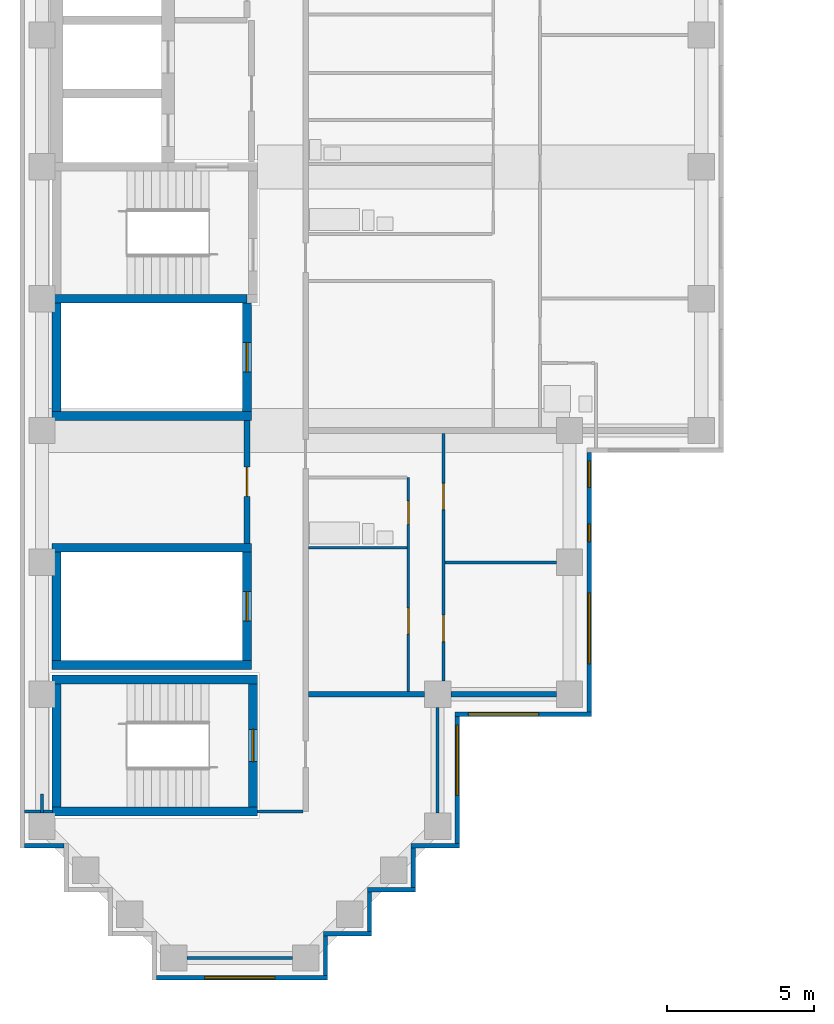
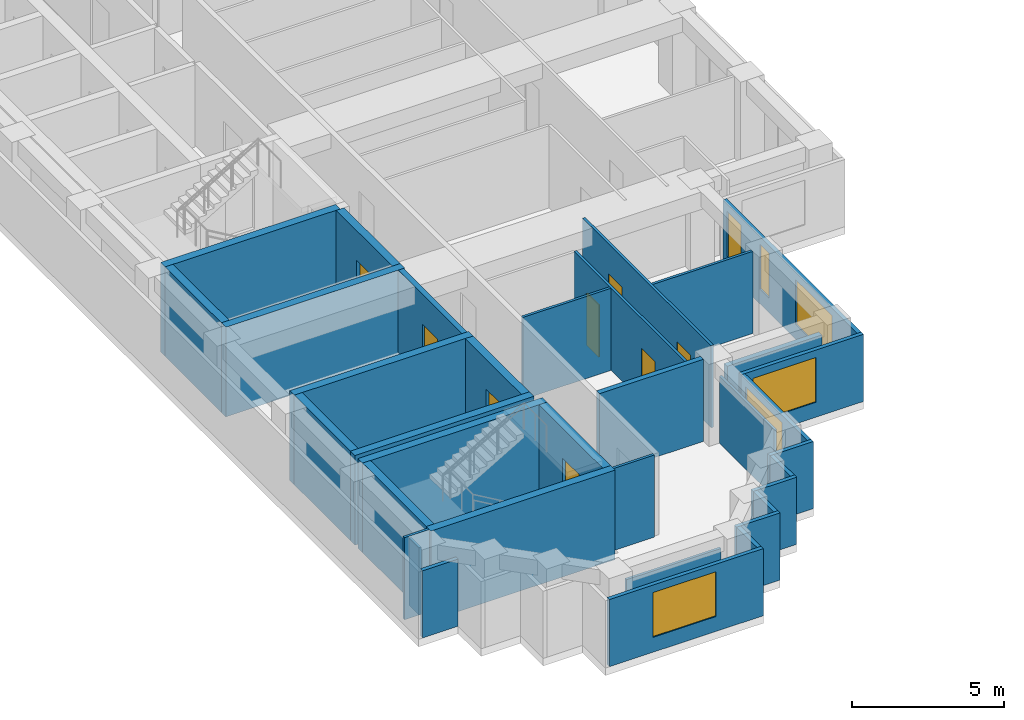
# One storey, part 2 of 10: 35 walls, 8 doors, 6 windows, 14 openings.
"""IFC4 building model written with IfcOpenShell, lengths in metres."""

from ifc_helpers import new_model, si_unit, direction, frame, frame_2d, origin, place, context, subcontext, project, spatial, rectangle, extrude, material, layer, layer_set, type_object, element, fill, save


model = new_model("IFC4")

# Units and contexts
model_context = context("Model", 3, precision=1e-05, world=origin(), true_north=direction((0.0, 1.0)))
body_context = subcontext(model_context, "Body", "Model", "MODEL_VIEW")
ifc_project = project(units=[si_unit("LENGTHUNIT", "METRE"), si_unit("AREAUNIT", "SQUARE_METRE"), si_unit("VOLUMEUNIT", "CUBIC_METRE"), si_unit("PLANEANGLEUNIT", "RADIAN"), si_unit("MASSUNIT", "GRAM", prefix="KILO")], contexts=[model_context])

# Site, building, storey
site_placement = place(None, origin())
site = spatial("IfcSite", under=ifc_project, at=site_placement, CompositionType="ELEMENT")
building_placement = place(site_placement, origin())
building = spatial("IfcBuilding", under=site, at=building_placement, Name="Firuza Court", CompositionType="ELEMENT")
storey_placement = place(building_placement, frame((0.0, 0.0, 204.199951171875)))
storey = spatial("IfcBuildingStorey", under=building, at=storey_placement, Name="L52", CompositionType="ELEMENT", Elevation=204.199951171875)

# Walls
ifc_material_1 = material(Name="Moisture-resistant gypsum board partition")
ifc_layer_1 = layer(ifc_material_1, 0.10009765625)
ifc_layer_set_1 = layer_set([ifc_layer_1], Name="Moisture-resistant gypsum board partition")
wall_type_1 = type_object("IfcWallType", Name="Bathroom partition 100", PredefinedType="PLUMBINGWALL", material=ifc_layer_set_1)
wall_1_placement = place(storey_placement, frame((9.10009765625, 14.0, 0.0), z_axis=(0.0, 0.0, 1.0), x_axis=(1.0, 0.0, 0.0)))
element("IfcWall", 1, at=wall_1_placement, inside=storey, type_object=wall_type_1, Name="Bathroom partition 100 L52", PredefinedType="PLUMBINGWALL", context=body_context, shape_type="SweptSolid", body=[
    extrude(rectangle(XDim=3.349853515625, YDim=0.10009765625, at=frame_2d((1.6748046875, 0.0))), origin(), (0.0, 0.0, 1.0), 3.300048828125),
])
ifc_material_2 = material(Name="Concrete C50/60", Category="concrete")
ifc_layer_2 = layer(ifc_material_2, 0.300048828125)
ifc_layer_set_2 = layer_set([ifc_layer_2], Name="Concrete C50/60")
wall_type_2 = type_object("IfcWallType", Name="Core wall 300 C50/60", PredefinedType="SHEAR", material=ifc_layer_set_2)
for number, where, z_axis, x_axis, name in (
    (2, (0.35009765625, 5.0, -0.300048828125), (0.0, 0.0, 1.0), (1.0, 0.0, 0.0), "Core wall stair L52"),
    (3, (0.35009765625, 9.5, -0.300048828125), (0.0, 0.0, 1.0), (1.0, 0.0, 0.0), "Core wall stair L52"),
):
    element("IfcWall", number, at=place(storey_placement, frame(where, z_axis=z_axis, x_axis=x_axis)), inside=storey, type_object=wall_type_2, Name=name, PredefinedType="SHEAR", context=body_context, shape_type="SweptSolid", body=[
        extrude(rectangle(XDim=7.0, YDim=0.300048828125, at=frame_2d((3.5, 0.0))), origin(), (0.0, 0.0, 1.0), 3.60009765625),
    ])
for number, where, z_axis, x_axis, name in (
    (4, (0.35009765625, 10.0, -0.300048828125), (0.0, 0.0, 1.0), (1.0, 0.0, 0.0), "Core wall riser L52"),
    (5, (0.35009765625, 14.0, -0.300048828125), (0.0, 0.0, 1.0), (1.0, 0.0, 0.0), "Core wall riser L52"),
    (6, (0.35009765625, 18.5, -0.300048828125), (0.0, 0.0, 1.0), (1.0, 0.0, 0.0), "Core wall riser L52"),
):
    element("IfcWall", number, at=place(storey_placement, frame(where, z_axis=z_axis, x_axis=x_axis)), inside=storey, type_object=wall_type_2, Name=name, PredefinedType="SHEAR", context=body_context, shape_type="SweptSolid", body=[
        extrude(rectangle(XDim=6.7998046875, YDim=0.300048828125, at=frame_2d((3.39990234375, 0.0))), origin(), (0.0, 0.0, 1.0), 3.60009765625),
    ])
wall_2_placement = place(storey_placement, frame((0.35009765625, 22.5, -0.300048828125), z_axis=(0.0, 0.0, 1.0), x_axis=(1.0, 0.0, 0.0)))
element("IfcWall", 7, at=wall_2_placement, inside=storey, type_object=wall_type_2, Name="Core wall riser L52", PredefinedType="SHEAR", context=body_context, shape_type="SweptSolid", body=[
    extrude(rectangle(XDim=6.64990234375, YDim=0.300048828125, at=frame_2d((3.324951171875, 0.0))), origin(), (0.0, 0.0, 1.0), 3.60009765625),
])
wall_3_placement = place(storey_placement, frame((0.5, 5.14990234375, -0.300048828125), z_axis=(0.0, 0.0, 1.0), x_axis=(0.0, 1.0, 0.0)))
element("IfcWall", 8, at=wall_3_placement, inside=storey, type_object=wall_type_2, Name="Core wall stair L52", PredefinedType="SHEAR", context=body_context, shape_type="SweptSolid", body=[
    extrude(rectangle(XDim=4.2001953125, YDim=0.300048828125, at=frame_2d((2.10009765625, 0.0))), origin(), (0.0, 0.0, 1.0), 3.60009765625),
])
for number, where, z_axis, x_axis, name in (
    (9, (0.5, 10.14990234375, -0.300048828125), (0.0, 0.0, 1.0), (0.0, 1.0, 0.0), "Core wall riser L52"),
    (10, (0.5, 18.64990234375, -0.300048828125), (0.0, 0.0, 1.0), (0.0, 1.0, 0.0), "Core wall riser L52"),
):
    element("IfcWall", number, at=place(storey_placement, frame(where, z_axis=z_axis, x_axis=x_axis)), inside=storey, type_object=wall_type_2, Name=name, PredefinedType="SHEAR", context=body_context, shape_type="SweptSolid", body=[
        extrude(rectangle(XDim=3.7001953125, YDim=0.300048828125, at=frame_2d((1.85009765625, 0.0))), origin(), (0.0, 0.0, 1.0), 3.60009765625),
    ])

# Wall, opening, door
wall_4_placement = place(storey_placement, frame((7.0, 10.14990234375, -0.300048828125), z_axis=(0.0, 0.0, 1.0), x_axis=(0.0, 1.0, 0.0)))
wall_4 = element("IfcWall", 11, at=wall_4_placement, inside=storey, type_object=wall_type_2, Name="Core wall riser L52", PredefinedType="SHEAR", context=body_context, shape_type="SweptSolid", body=[
    extrude(rectangle(XDim=3.7001953125, YDim=0.300048828125, at=frame_2d((1.85009765625, 0.0))), origin(), (0.0, 0.0, 1.0), 3.60009765625),
])
opening_1_placement = place(wall_4_placement, frame((1.35009765625, 0.0, 0.300048828125)))
opening_1 = element("IfcOpeningElement", 12, at=opening_1_placement, cuts=wall_4, Name="Opening D52010", PredefinedType="OPENING", context=body_context, shape_type="SweptSolid", body=[
    extrude(rectangle(XDim=1.0, YDim=2.10009765625, at=frame_2d((0.5, 1.050048828125))), frame((0.0, 0.162109375, 0.0), z_axis=(0.0, -1.0, 0.0), x_axis=(1.0, 0.0, 0.0)), (0.0, 0.0, 1.0), 0.323974609375),
])
ifc_material_3 = material(Name="Timber door leaf in hardwood frame", Category="wood")
door_type_1 = type_object("IfcDoorType", Name="Riser door 1000", OperationType="SINGLE_SWING_LEFT", PredefinedType="DOOR", material=ifc_material_3)
door_1_placement = place(opening_1_placement, origin())
door_1 = element("IfcDoor", 13, at=door_1_placement, inside=storey, type_object=door_type_1, Name="Riser door R4", OperationType="SINGLE_SWING_LEFT", OverallHeight=2.10009765625, OverallWidth=1.0, PredefinedType="DOOR", context=body_context, shape_type="SweptSolid", body=[
    extrude(rectangle(XDim=1.0, YDim=2.10009765625, at=frame_2d((0.5, 1.050048828125))), frame((0.0, 0.02490234375, 0.0), z_axis=(0.0, -1.0, 0.0), x_axis=(1.0, 0.0, 0.0)), (0.0, 0.0, 1.0), 0.050048828125),
])
fill(opening_1, door_1)

wall_5_placement = place(storey_placement, frame((7.0, 18.64990234375, -0.300048828125), z_axis=(0.0, 0.0, 1.0), x_axis=(0.0, 1.0, 0.0)))
wall_5 = element("IfcWall", 14, at=wall_5_placement, inside=storey, type_object=wall_type_2, Name="Core wall riser L52", PredefinedType="SHEAR", context=body_context, shape_type="SweptSolid", body=[
    extrude(rectangle(XDim=3.7001953125, YDim=0.300048828125, at=frame_2d((1.85009765625, 0.0))), origin(), (0.0, 0.0, 1.0), 3.60009765625),
])
opening_2_placement = place(wall_5_placement, frame((1.35009765625, 0.0, 0.300048828125)))
opening_2 = element("IfcOpeningElement", 15, at=opening_2_placement, cuts=wall_5, Name="Opening D52008", PredefinedType="OPENING", context=body_context, shape_type="SweptSolid", body=[
    extrude(rectangle(XDim=1.0, YDim=2.10009765625, at=frame_2d((0.5, 1.050048828125))), frame((0.0, 0.162109375, 0.0), z_axis=(0.0, -1.0, 0.0), x_axis=(1.0, 0.0, 0.0)), (0.0, 0.0, 1.0), 0.323974609375),
])
door_2_placement = place(opening_2_placement, origin())
door_2 = element("IfcDoor", 16, at=door_2_placement, inside=storey, type_object=door_type_1, Name="Riser door R1", OperationType="SINGLE_SWING_LEFT", OverallHeight=2.10009765625, OverallWidth=1.0, PredefinedType="DOOR", context=body_context, shape_type="SweptSolid", body=[
    extrude(rectangle(XDim=1.0, YDim=2.10009765625, at=frame_2d((0.5, 1.050048828125))), frame((0.0, 0.02490234375, 0.0), z_axis=(0.0, -1.0, 0.0), x_axis=(1.0, 0.0, 0.0)), (0.0, 0.0, 1.0), 0.050048828125),
])
fill(opening_2, door_2)

wall_6_placement = place(storey_placement, frame((7.199951171875, 5.14990234375, -0.300048828125), z_axis=(0.0, 0.0, 1.0), x_axis=(0.0, 1.0, 0.0)))
wall_6 = element("IfcWall", 17, at=wall_6_placement, inside=storey, type_object=wall_type_2, Name="Core wall stair L52", PredefinedType="SHEAR", context=body_context, shape_type="SweptSolid", body=[
    extrude(rectangle(XDim=4.2001953125, YDim=0.300048828125, at=frame_2d((2.10009765625, 0.0))), origin(), (0.0, 0.0, 1.0), 3.60009765625),
])
opening_3_placement = place(wall_6_placement, frame((1.550048828125, 0.0, 0.300048828125)))
opening_3 = element("IfcOpeningElement", 18, at=opening_3_placement, cuts=wall_6, Name="Opening D52015", PredefinedType="OPENING", context=body_context, shape_type="SweptSolid", body=[
    extrude(rectangle(XDim=1.10009765625, YDim=2.10009765625, at=frame_2d((0.550048828125, 1.050048828125))), frame((0.0, 0.162109375, 0.0), z_axis=(0.0, -1.0, 0.0), x_axis=(1.0, 0.0, 0.0)), (0.0, 0.0, 1.0), 0.323974609375),
])
ifc_material_4 = material(Name="Timber door leaf in hardwood frame", Category="wood")
door_type_2 = type_object("IfcDoorType", Name="Stair door 1100", OperationType="SINGLE_SWING_LEFT", PredefinedType="DOOR", material=ifc_material_4)
door_3_placement = place(opening_3_placement, origin())
door_3 = element("IfcDoor", 19, at=door_3_placement, inside=storey, type_object=door_type_2, Name="Stair door S5", OperationType="SINGLE_SWING_LEFT", OverallHeight=2.10009765625, OverallWidth=1.10009765625, PredefinedType="DOOR", context=body_context, shape_type="SweptSolid", body=[
    extrude(rectangle(XDim=1.10009765625, YDim=2.10009765625, at=frame_2d((0.550048828125, 1.050048828125))), frame((0.0, 0.02490234375, 0.0), z_axis=(0.0, -1.0, 0.0), x_axis=(1.0, 0.0, 0.0)), (0.0, 0.0, 1.0), 0.050048828125),
])
fill(opening_3, door_3)

ifc_material_5 = material(Name="Blockwork, plastered both sides", Category="masonry")
ifc_layer_3 = layer(ifc_material_5, 0.199951171875)
ifc_layer_set_3 = layer_set([ifc_layer_3], Name="Blockwork, plastered both sides")
wall_type_3 = type_object("IfcWallType", Name="Corridor wall 200", PredefinedType="PARTITIONING", material=ifc_layer_set_3)
wall_7_placement = place(storey_placement, frame((7.0, 14.14990234375, 0.0), z_axis=(0.0, 0.0, 1.0), x_axis=(0.0, 1.0, 0.0)))
wall_7 = element("IfcWall", 20, at=wall_7_placement, inside=storey, type_object=wall_type_3, Name="Corridor wall 200 L52", PredefinedType="PARTITIONING", context=body_context, shape_type="SweptSolid", body=[
    extrude(rectangle(XDim=4.2001953125, YDim=0.199951171875, at=frame_2d((2.10009765625, 0.0))), origin(), (0.0, 0.0, 1.0), 3.300048828125),
])
opening_4_placement = place(wall_7_placement, frame((1.60009765625, 0.0, 0.0)))
opening_4 = element("IfcOpeningElement", 21, at=opening_4_placement, cuts=wall_7, Name="Opening D52023", PredefinedType="OPENING", context=body_context, shape_type="SweptSolid", body=[
    extrude(rectangle(XDim=1.0, YDim=2.10009765625, at=frame_2d((0.5, 1.050048828125))), frame((0.0, 0.11181640625, 0.0), z_axis=(0.0, -1.0, 0.0), x_axis=(1.0, 0.0, 0.0)), (0.0, 0.0, 1.0), 0.223876953125),
])
ifc_material_6 = material(Name="Timber door leaf in hardwood frame", Category="wood")
door_type_3 = type_object("IfcDoorType", Name="Store door 1000", OperationType="SINGLE_SWING_LEFT", PredefinedType="DOOR", material=ifc_material_6)
door_4_placement = place(opening_4_placement, origin())
door_4 = element("IfcDoor", 22, at=door_4_placement, inside=storey, type_object=door_type_3, Name="Parcel room door", OperationType="SINGLE_SWING_LEFT", OverallHeight=2.10009765625, OverallWidth=1.0, PredefinedType="DOOR", context=body_context, shape_type="SweptSolid", body=[
    extrude(rectangle(XDim=1.0, YDim=2.10009765625, at=frame_2d((0.5, 1.050048828125))), frame((0.0, 0.02490234375, 0.0), z_axis=(0.0, -1.0, 0.0), x_axis=(1.0, 0.0, 0.0)), (0.0, 0.0, 1.0), 0.050048828125),
])
fill(opening_4, door_4)

# Walls
ifc_material_7 = material(Name="Timber stud partition, plasterboard both sides", Category="wood")
ifc_layer_4 = layer(ifc_material_7, 0.10009765625)
ifc_layer_set_4 = layer_set([ifc_layer_4], Name="Timber stud partition, plasterboard both sides")
wall_type_4 = type_object("IfcWallType", Name="Partition wall 100", PredefinedType="PARTITIONING", material=ifc_layer_set_4)
wall_8_placement = place(storey_placement, frame((4.949951171875, 0.0, 0.0), z_axis=(0.0, 0.0, 1.0), x_axis=(1.0, 0.0, 0.0)))
element("IfcWall", 23, at=wall_8_placement, inside=storey, type_object=wall_type_4, Name="Partition wall 100 L52", PredefinedType="PARTITIONING", context=body_context, shape_type="SweptSolid", body=[
    extrude(rectangle(XDim=3.60009765625, YDim=0.10009765625, at=frame_2d((1.800048828125, 0.0))), origin(), (0.0, 0.0, 1.0), 2.699951171875),
])
wall_9_placement = place(storey_placement, frame((0.0, 4.949951171875, 0.0), z_axis=(0.0, 0.0, 1.0), x_axis=(0.0, 1.0, 0.0)))
element("IfcWall", 24, at=wall_9_placement, inside=storey, type_object=wall_type_4, Name="Partition wall 100 L52", PredefinedType="PARTITIONING", context=body_context, shape_type="SweptSolid", body=[
    extrude(rectangle(XDim=0.650146484375, YDim=0.10009765625, at=frame_2d((0.3251953125, 0.0))), origin(), (0.0, 0.0, 1.0), 2.699951171875),
])
wall_10_placement = place(storey_placement, frame((13.5, 4.949951171875, 0.0), z_axis=(0.0, 0.0, 1.0), x_axis=(0.0, 1.0, 0.0)))
element("IfcWall", 25, at=wall_10_placement, inside=storey, type_object=wall_type_4, Name="Partition wall 100 L52", PredefinedType="PARTITIONING", context=body_context, shape_type="SweptSolid", body=[
    extrude(rectangle(XDim=3.60009765625, YDim=0.10009765625, at=frame_2d((1.800048828125, 0.0))), origin(), (0.0, 0.0, 1.0), 2.699951171875),
])
wall_11_placement = place(storey_placement, frame((-0.60009765625, 5.0, 0.0), z_axis=(0.0, 0.0, 1.0), x_axis=(1.0, 0.0, 0.0)))
element("IfcWall", 26, at=wall_11_placement, inside=storey, type_object=wall_type_4, Name="Partition wall 100 L52", PredefinedType="PARTITIONING", context=body_context, shape_type="SweptSolid", body=[
    extrude(rectangle(XDim=0.951171875, YDim=0.10009765625, at=frame_2d((0.4755859375, 0.0))), origin(), (0.0, 0.0, 1.0), 3.300048828125),
])
wall_12_placement = place(storey_placement, frame((7.34912109375, 5.0, 0.0), z_axis=(0.0, 0.0, 1.0), x_axis=(1.0, 0.0, 0.0)))
element("IfcWall", 27, at=wall_12_placement, inside=storey, type_object=wall_type_4, Name="Partition wall 100 L52", PredefinedType="PARTITIONING", context=body_context, shape_type="SweptSolid", body=[
    extrude(rectangle(XDim=1.55078125, YDim=0.10009765625, at=frame_2d((0.775390625, 0.0))), origin(), (0.0, 0.0, 1.0), 3.300048828125),
])

# Wall, openings, doors
wall_13_placement = place(storey_placement, frame((12.5, 9.10009765625, 0.0), z_axis=(0.0, 0.0, 1.0), x_axis=(0.0, 1.0, 0.0)))
wall_13 = element("IfcWall", 28, at=wall_13_placement, inside=storey, type_object=wall_type_4, Name="Partition wall 100 L52", PredefinedType="PARTITIONING", context=body_context, shape_type="SweptSolid", body=[
    extrude(rectangle(XDim=7.2998046875, YDim=0.10009765625, at=frame_2d((3.64990234375, 0.0))), origin(), (0.0, 0.0, 1.0), 3.300048828125),
])
opening_5_placement = place(wall_13_placement, frame((5.699951171875, 0.0, 0.0)))
opening_5 = element("IfcOpeningElement", 29, at=opening_5_placement, cuts=wall_13, Name="Opening D52019", PredefinedType="OPENING", context=body_context, shape_type="SweptSolid", body=[
    extrude(rectangle(XDim=0.800048828125, YDim=2.10009765625, at=frame_2d((0.39990234375, 1.050048828125))), frame((0.0, 0.06201171875, 0.0), z_axis=(0.0, -1.0, 0.0), x_axis=(1.0, 0.0, 0.0)), (0.0, 0.0, 1.0), 0.1240234375),
])
opening_6_placement = place(wall_13_placement, frame((1.949951171875, 0.0, 0.0)))
opening_6 = element("IfcOpeningElement", 30, at=opening_6_placement, cuts=wall_13, Name="Opening D52020", PredefinedType="OPENING", context=body_context, shape_type="SweptSolid", body=[
    extrude(rectangle(XDim=0.89990234375, YDim=2.10009765625, at=frame_2d((0.449951171875, 1.050048828125))), frame((0.0, 0.06201171875, 0.0), z_axis=(0.0, -1.0, 0.0), x_axis=(1.0, 0.0, 0.0)), (0.0, 0.0, 1.0), 0.1240234375),
])
ifc_material_8 = material(Name="Timber door leaf in hardwood frame", Category="wood")
door_type_4 = type_object("IfcDoorType", Name="Bathroom door 800", OperationType="SINGLE_SWING_LEFT", PredefinedType="DOOR", material=ifc_material_8)
door_5_placement = place(opening_5_placement, origin())
door_5 = element("IfcDoor", 31, at=door_5_placement, inside=storey, type_object=door_type_4, Name="Bathroom door", OperationType="SINGLE_SWING_LEFT", OverallHeight=2.10009765625, OverallWidth=0.800048828125, PredefinedType="DOOR", context=body_context, shape_type="SweptSolid", body=[
    extrude(rectangle(XDim=0.800048828125, YDim=2.10009765625, at=frame_2d((0.39990234375, 1.050048828125))), frame((0.0, 0.02490234375, 0.0), z_axis=(0.0, -1.0, 0.0), x_axis=(1.0, 0.0, 0.0)), (0.0, 0.0, 1.0), 0.050048828125),
])
fill(opening_5, door_5)
ifc_material_9 = material(Name="Timber door leaf in hardwood frame", Category="wood")
door_type_5 = type_object("IfcDoorType", Name="Room door 900", OperationType="SINGLE_SWING_LEFT", PredefinedType="DOOR", material=ifc_material_9)
door_6_placement = place(opening_6_placement, origin())
door_6 = element("IfcDoor", 32, at=door_6_placement, inside=storey, type_object=door_type_5, Name="Kitchen door", OperationType="SINGLE_SWING_LEFT", OverallHeight=2.10009765625, OverallWidth=0.89990234375, PredefinedType="DOOR", context=body_context, shape_type="SweptSolid", body=[
    extrude(rectangle(XDim=0.89990234375, YDim=2.10009765625, at=frame_2d((0.449951171875, 1.050048828125))), frame((0.0, 0.02490234375, 0.0), z_axis=(0.0, -1.0, 0.0), x_axis=(1.0, 0.0, 0.0)), (0.0, 0.0, 1.0), 0.050048828125),
])
fill(opening_6, door_6)

wall_14_placement = place(storey_placement, frame((13.699951171875, 9.449951171875, 0.0), z_axis=(0.0, 0.0, 1.0), x_axis=(0.0, 1.0, 0.0)))
wall_14 = element("IfcWall", 33, at=wall_14_placement, inside=storey, type_object=wall_type_4, Name="Partition wall 100 L52", PredefinedType="PARTITIONING", context=body_context, shape_type="SweptSolid", body=[
    extrude(rectangle(XDim=8.449951171875, YDim=0.10009765625, at=frame_2d((4.22509765625, 0.0))), origin(), (0.0, 0.0, 1.0), 3.300048828125),
])
opening_7_placement = place(wall_14_placement, frame((1.35009765625, 0.0, 0.0)))
opening_7 = element("IfcOpeningElement", 34, at=opening_7_placement, cuts=wall_14, Name="Opening D52021", PredefinedType="OPENING", context=body_context, shape_type="SweptSolid", body=[
    extrude(rectangle(XDim=0.89990234375, YDim=2.10009765625, at=frame_2d((0.449951171875, 1.050048828125))), frame((0.0, 0.06201171875, 0.0), z_axis=(0.0, -1.0, 0.0), x_axis=(1.0, 0.0, 0.0)), (0.0, 0.0, 1.0), 0.1240234375),
])
opening_8_placement = place(wall_14_placement, frame((5.85009765625, 0.0, 0.0)))
opening_8 = element("IfcOpeningElement", 35, at=opening_8_placement, cuts=wall_14, Name="Opening D52022", PredefinedType="OPENING", context=body_context, shape_type="SweptSolid", body=[
    extrude(rectangle(XDim=0.89990234375, YDim=2.10009765625, at=frame_2d((0.449951171875, 1.050048828125))), frame((0.0, 0.06201171875, 0.0), z_axis=(0.0, -1.0, 0.0), x_axis=(1.0, 0.0, 0.0)), (0.0, 0.0, 1.0), 0.1240234375),
])
door_7_placement = place(opening_7_placement, frame((0.89990234375, 0.0, 0.0), z_axis=(0.0, 0.0, 1.0), x_axis=(-1.0, 0.0, 0.0)))
door_7 = element("IfcDoor", 36, at=door_7_placement, inside=storey, type_object=door_type_5, Name="Bedroom door", OperationType="SINGLE_SWING_RIGHT", OverallHeight=2.10009765625, OverallWidth=0.89990234375, PredefinedType="DOOR", context=body_context, shape_type="SweptSolid", body=[
    extrude(rectangle(XDim=0.89990234375, YDim=2.10009765625, at=frame_2d((0.449951171875, 1.050048828125))), frame((0.0, 0.02490234375, 0.0), z_axis=(0.0, -1.0, 0.0), x_axis=(1.0, 0.0, 0.0)), (0.0, 0.0, 1.0), 0.050048828125),
])
fill(opening_7, door_7)
door_8_placement = place(opening_8_placement, frame((0.89990234375, 0.0, 0.0), z_axis=(0.0, 0.0, 1.0), x_axis=(-1.0, 0.0, 0.0)))
door_8 = element("IfcDoor", 37, at=door_8_placement, inside=storey, type_object=door_type_5, Name="Living room door", OperationType="SINGLE_SWING_RIGHT", OverallHeight=2.10009765625, OverallWidth=0.89990234375, PredefinedType="DOOR", context=body_context, shape_type="SweptSolid", body=[
    extrude(rectangle(XDim=0.89990234375, YDim=2.10009765625, at=frame_2d((0.449951171875, 1.050048828125))), frame((0.0, 0.02490234375, 0.0), z_axis=(0.0, -1.0, 0.0), x_axis=(1.0, 0.0, 0.0)), (0.0, 0.0, 1.0), 0.050048828125),
])
fill(opening_8, door_8)

# Walls
wall_15_placement = place(storey_placement, frame((13.75, 13.5, 0.0), z_axis=(0.0, 0.0, 1.0), x_axis=(1.0, 0.0, 0.0)))
element("IfcWall", 38, at=wall_15_placement, inside=storey, type_object=wall_type_4, Name="Partition wall 100 L52", PredefinedType="PARTITIONING", context=body_context, shape_type="SweptSolid", body=[
    extrude(rectangle(XDim=3.800048828125, YDim=0.10009765625, at=frame_2d((1.89990234375, 0.0))), origin(), (0.0, 0.0, 1.0), 3.300048828125),
])
ifc_layer_5 = layer(ifc_material_5, 0.199951171875)
ifc_layer_set_5 = layer_set([ifc_layer_5], Name="Blockwork, plastered both sides")
wall_type_5 = type_object("IfcWallType", Name="Party wall 200", PredefinedType="PARTITIONING", material=ifc_layer_set_5)
wall_16_placement = place(storey_placement, frame((9.10009765625, 9.0, 0.0), z_axis=(0.0, 0.0, 1.0), x_axis=(1.0, 0.0, 0.0)))
element("IfcWall", 39, at=wall_16_placement, inside=storey, type_object=wall_type_5, Name="Party wall 200 L52", PredefinedType="PARTITIONING", context=body_context, shape_type="SweptSolid", body=[
    extrude(rectangle(XDim=3.949951171875, YDim=0.199951171875, at=frame_2d((1.97509765625, 0.0))), origin(), (0.0, 0.0, 1.0), 3.300048828125),
])
wall_17_placement = place(storey_placement, frame((13.949951171875, 9.0, 0.0), z_axis=(0.0, 0.0, 1.0), x_axis=(1.0, 0.0, 0.0)))
element("IfcWall", 40, at=wall_17_placement, inside=storey, type_object=wall_type_5, Name="Party wall 200 L52", PredefinedType="PARTITIONING", context=body_context, shape_type="SweptSolid", body=[
    extrude(rectangle(XDim=3.60009765625, YDim=0.199951171875, at=frame_2d((1.800048828125, 0.0))), origin(), (0.0, 0.0, 1.0), 2.699951171875),
])
ifc_material_10 = material(Name="Ceramic tile", Category="ceramic")
ifc_layer_6 = layer(ifc_material_10, 0.02001953125)
ifc_material_11 = material(Name="Mineral wool insulation", Category="insulation")
ifc_layer_7 = layer(ifc_material_11, 0.050048828125)
ifc_material_12 = material(Name="Concrete C40/50 precast", Category="concrete")
ifc_layer_8 = layer(ifc_material_12, 0.080078125)
ifc_layer_set_6 = layer_set([ifc_layer_6, ifc_layer_7, ifc_layer_8], Name="Concrete C40/50 precast")
wall_type_6 = type_object("IfcWallType", Name="Precast cladding wall with turquoise TILE PANEL face 150", PredefinedType="STANDARD", material=ifc_layer_set_6)
wall_18_placement = place(storey_placement, frame((-0.60009765625, 3.824951171875, 0.0), z_axis=(0.0, 0.0, 1.0), x_axis=(1.0, 0.0, 0.0)))
element("IfcWall", 41, at=wall_18_placement, inside=storey, type_object=wall_type_6, Name="Facade wall L52 S", PredefinedType="STANDARD", context=body_context, shape_type="SweptSolid", body=[
    extrude(rectangle(XDim=1.35009765625, YDim=0.14990234375, at=frame_2d((0.675048828125, 0.0))), origin(), (0.0, 0.0, 1.0), 2.699951171875),
])

# Wall, opening, window
wall_19_placement = place(storey_placement, frame((3.89990234375, -0.675048828125, 0.0), z_axis=(0.0, 0.0, 1.0), x_axis=(1.0, 0.0, 0.0)))
wall_19 = element("IfcWall", 42, at=wall_19_placement, inside=storey, type_object=wall_type_6, Name="Facade wall L52 S", PredefinedType="STANDARD", context=body_context, shape_type="SweptSolid", body=[
    extrude(rectangle(XDim=5.85009765625, YDim=0.14990234375, at=frame_2d((2.925048828125, 0.0))), origin(), (0.0, 0.0, 1.0), 2.699951171875),
])
opening_9_placement = place(wall_19_placement, frame((1.64990234375, 0.0, 0.60009765625)))
opening_9 = element("IfcOpeningElement", 43, at=opening_9_placement, cuts=wall_19, Name="Opening W1", PredefinedType="OPENING", context=body_context, shape_type="SweptSolid", body=[
    extrude(rectangle(XDim=2.39990234375, YDim=1.800048828125, at=frame_2d((1.199951171875, 0.89990234375))), frame((0.0, 0.0869140625, 0.0), z_axis=(0.0, -1.0, 0.0), x_axis=(1.0, 0.0, 0.0)), (0.0, 0.0, 1.0), 0.173828125),
])
ifc_material_13 = material(Name="Aluminium frame, triple clear glazing", Category="aluminium")
window_type_1 = type_object("IfcWindowType", Name="Window W1 2400 x 1800", PartitioningType="SINGLE_PANEL", PredefinedType="WINDOW", material=ifc_material_13)
window_1_placement = place(opening_9_placement, origin())
window_1 = element("IfcWindow", 44, at=window_1_placement, inside=storey, type_object=window_type_1, Name="Window L52", OverallHeight=1.800048828125, OverallWidth=2.39990234375, PartitioningType="SINGLE_PANEL", PredefinedType="WINDOW", context=body_context, shape_type="SweptSolid", body=[
    extrude(rectangle(XDim=2.39990234375, YDim=1.800048828125, at=frame_2d((1.199951171875, 0.89990234375))), frame((0.0, 0.030029296875, 0.0), z_axis=(0.0, -1.0, 0.0), x_axis=(1.0, 0.0, 0.0)), (0.0, 0.0, 1.0), 0.06005859375),
])
fill(opening_9, window_1)

# Walls
wall_20_placement = place(storey_placement, frame((9.675048828125, -0.60009765625, 0.0), z_axis=(0.0, 0.0, 1.0), x_axis=(0.0, 1.0, 0.0)))
element("IfcWall", 45, at=wall_20_placement, inside=storey, type_object=wall_type_6, Name="Facade wall L52 E", PredefinedType="STANDARD", context=body_context, shape_type="SweptSolid", body=[
    extrude(rectangle(XDim=1.35009765625, YDim=0.14990234375, at=frame_2d((0.675048828125, 0.0))), origin(), (0.0, 0.0, 1.0), 2.699951171875),
])
wall_21_placement = place(storey_placement, frame((9.60009765625, 0.824951171875, 0.0), z_axis=(0.0, 0.0, 1.0), x_axis=(1.0, 0.0, 0.0)))
element("IfcWall", 46, at=wall_21_placement, inside=storey, type_object=wall_type_6, Name="Facade wall L52 S", PredefinedType="STANDARD", context=body_context, shape_type="SweptSolid", body=[
    extrude(rectangle(XDim=1.64990234375, YDim=0.14990234375, at=frame_2d((0.824951171875, 0.0))), origin(), (0.0, 0.0, 1.0), 2.699951171875),
])
wall_22_placement = place(storey_placement, frame((11.175048828125, 0.89990234375, 0.0), z_axis=(0.0, 0.0, 1.0), x_axis=(0.0, 1.0, 0.0)))
element("IfcWall", 47, at=wall_22_placement, inside=storey, type_object=wall_type_6, Name="Facade wall L52 E", PredefinedType="STANDARD", context=body_context, shape_type="SweptSolid", body=[
    extrude(rectangle(XDim=1.35009765625, YDim=0.14990234375, at=frame_2d((0.675048828125, 0.0))), origin(), (0.0, 0.0, 1.0), 2.699951171875),
])
wall_23_placement = place(storey_placement, frame((11.10009765625, 2.324951171875, 0.0), z_axis=(0.0, 0.0, 1.0), x_axis=(1.0, 0.0, 0.0)))
element("IfcWall", 48, at=wall_23_placement, inside=storey, type_object=wall_type_6, Name="Facade wall L52 S", PredefinedType="STANDARD", context=body_context, shape_type="SweptSolid", body=[
    extrude(rectangle(XDim=1.64990234375, YDim=0.14990234375, at=frame_2d((0.824951171875, 0.0))), origin(), (0.0, 0.0, 1.0), 2.699951171875),
])
wall_24_placement = place(storey_placement, frame((12.675048828125, 2.39990234375, 0.0), z_axis=(0.0, 0.0, 1.0), x_axis=(0.0, 1.0, 0.0)))
element("IfcWall", 49, at=wall_24_placement, inside=storey, type_object=wall_type_6, Name="Facade wall L52 E", PredefinedType="STANDARD", context=body_context, shape_type="SweptSolid", body=[
    extrude(rectangle(XDim=1.35009765625, YDim=0.14990234375, at=frame_2d((0.675048828125, 0.0))), origin(), (0.0, 0.0, 1.0), 2.699951171875),
])
wall_25_placement = place(storey_placement, frame((12.60009765625, 3.824951171875, 0.0), z_axis=(0.0, 0.0, 1.0), x_axis=(1.0, 0.0, 0.0)))
element("IfcWall", 50, at=wall_25_placement, inside=storey, type_object=wall_type_6, Name="Facade wall L52 S", PredefinedType="STANDARD", context=body_context, shape_type="SweptSolid", body=[
    extrude(rectangle(XDim=1.64990234375, YDim=0.14990234375, at=frame_2d((0.824951171875, 0.0))), origin(), (0.0, 0.0, 1.0), 2.699951171875),
])

# Wall, opening, window
wall_26_placement = place(storey_placement, frame((14.175048828125, 3.89990234375, 0.0), z_axis=(0.0, 0.0, 1.0), x_axis=(0.0, 1.0, 0.0)))
wall_26 = element("IfcWall", 51, at=wall_26_placement, inside=storey, type_object=wall_type_6, Name="Facade wall L52 E", PredefinedType="STANDARD", context=body_context, shape_type="SweptSolid", body=[
    extrude(rectangle(XDim=4.35009765625, YDim=0.14990234375, at=frame_2d((2.175048828125, 0.0))), origin(), (0.0, 0.0, 1.0), 2.699951171875),
])
opening_10_placement = place(wall_26_placement, frame((1.64990234375, 0.0, 0.60009765625)))
opening_10 = element("IfcOpeningElement", 52, at=opening_10_placement, cuts=wall_26, Name="Opening W1", PredefinedType="OPENING", context=body_context, shape_type="SweptSolid", body=[
    extrude(rectangle(XDim=2.39990234375, YDim=1.800048828125, at=frame_2d((1.199951171875, 0.89990234375))), frame((0.0, 0.0869140625, 0.0), z_axis=(0.0, -1.0, 0.0), x_axis=(1.0, 0.0, 0.0)), (0.0, 0.0, 1.0), 0.173828125),
])
window_2_placement = place(opening_10_placement, origin())
window_2 = element("IfcWindow", 53, at=window_2_placement, inside=storey, type_object=window_type_1, Name="Window L52", OverallHeight=1.800048828125, OverallWidth=2.39990234375, PartitioningType="SINGLE_PANEL", PredefinedType="WINDOW", context=body_context, shape_type="SweptSolid", body=[
    extrude(rectangle(XDim=2.39990234375, YDim=1.800048828125, at=frame_2d((1.199951171875, 0.89990234375))), frame((0.0, 0.030029296875, 0.0), z_axis=(0.0, -1.0, 0.0), x_axis=(1.0, 0.0, 0.0)), (0.0, 0.0, 1.0), 0.06005859375),
])
fill(opening_10, window_2)

wall_27_placement = place(storey_placement, frame((14.10009765625, 8.324951171875, 0.0), z_axis=(0.0, 0.0, 1.0), x_axis=(1.0, 0.0, 0.0)))
wall_27 = element("IfcWall", 54, at=wall_27_placement, inside=storey, type_object=wall_type_6, Name="Facade wall L52 S", PredefinedType="STANDARD", context=body_context, shape_type="SweptSolid", body=[
    extrude(rectangle(XDim=4.64990234375, YDim=0.14990234375, at=frame_2d((2.324951171875, 0.0))), origin(), (0.0, 0.0, 1.0), 2.699951171875),
])
opening_11_placement = place(wall_27_placement, frame((0.449951171875, 0.0, 0.60009765625)))
opening_11 = element("IfcOpeningElement", 55, at=opening_11_placement, cuts=wall_27, Name="Opening W1", PredefinedType="OPENING", context=body_context, shape_type="SweptSolid", body=[
    extrude(rectangle(XDim=2.39990234375, YDim=1.800048828125, at=frame_2d((1.199951171875, 0.89990234375))), frame((0.0, 0.0869140625, 0.0), z_axis=(0.0, -1.0, 0.0), x_axis=(1.0, 0.0, 0.0)), (0.0, 0.0, 1.0), 0.173828125),
])
window_3_placement = place(opening_11_placement, origin())
window_3 = element("IfcWindow", 56, at=window_3_placement, inside=storey, type_object=window_type_1, Name="Window L52", OverallHeight=1.800048828125, OverallWidth=2.39990234375, PartitioningType="SINGLE_PANEL", PredefinedType="WINDOW", context=body_context, shape_type="SweptSolid", body=[
    extrude(rectangle(XDim=2.39990234375, YDim=1.800048828125, at=frame_2d((1.199951171875, 0.89990234375))), frame((0.0, 0.030029296875, 0.0), z_axis=(0.0, -1.0, 0.0), x_axis=(1.0, 0.0, 0.0)), (0.0, 0.0, 1.0), 0.06005859375),
])
fill(opening_11, window_3)

# Wall, openings, windows
wall_28_placement = place(storey_placement, frame((18.675048828125, 8.39990234375, 0.0), z_axis=(0.0, 0.0, 1.0), x_axis=(0.0, 1.0, 0.0)))
wall_28 = element("IfcWall", 57, at=wall_28_placement, inside=storey, type_object=wall_type_6, Name="Facade wall L52 E", PredefinedType="STANDARD", context=body_context, shape_type="SweptSolid", body=[
    extrude(rectangle(XDim=8.85009765625, YDim=0.14990234375, at=frame_2d((4.425048828125, 0.0))), origin(), (0.0, 0.0, 1.0), 2.699951171875),
])
opening_12_placement = place(wall_28_placement, frame((1.64990234375, 0.0, 0.60009765625)))
opening_12 = element("IfcOpeningElement", 58, at=opening_12_placement, cuts=wall_28, Name="Opening W1", PredefinedType="OPENING", context=body_context, shape_type="SweptSolid", body=[
    extrude(rectangle(XDim=2.39990234375, YDim=1.800048828125, at=frame_2d((1.199951171875, 0.89990234375))), frame((0.0, 0.0869140625, 0.0), z_axis=(0.0, -1.0, 0.0), x_axis=(1.0, 0.0, 0.0)), (0.0, 0.0, 1.0), 0.173828125),
])
opening_13_placement = place(wall_28_placement, frame((5.806884765625, 0.0, 0.60009765625)))
opening_13 = element("IfcOpeningElement", 59, at=opening_13_placement, cuts=wall_28, Name="Opening W4", PredefinedType="OPENING", context=body_context, shape_type="SweptSolid", body=[
    extrude(rectangle(XDim=0.60009765625, YDim=1.800048828125, at=frame_2d((0.300048828125, 0.89990234375))), frame((0.0, 0.0869140625, 0.0), z_axis=(0.0, -1.0, 0.0), x_axis=(1.0, 0.0, 0.0)), (0.0, 0.0, 1.0), 0.173828125),
])
opening_14_placement = place(wall_28_placement, frame((7.657470703125, 0.0, 0.60009765625)))
opening_14 = element("IfcOpeningElement", 60, at=opening_14_placement, cuts=wall_28, Name="Opening W3", PredefinedType="OPENING", context=body_context, shape_type="SweptSolid", body=[
    extrude(rectangle(XDim=0.89990234375, YDim=1.800048828125, at=frame_2d((0.449951171875, 0.89990234375))), frame((0.0, 0.0869140625, 0.0), z_axis=(0.0, -1.0, 0.0), x_axis=(1.0, 0.0, 0.0)), (0.0, 0.0, 1.0), 0.173828125),
])
window_4_placement = place(opening_12_placement, origin())
window_4 = element("IfcWindow", 61, at=window_4_placement, inside=storey, type_object=window_type_1, Name="Window L52", OverallHeight=1.800048828125, OverallWidth=2.39990234375, PartitioningType="SINGLE_PANEL", PredefinedType="WINDOW", context=body_context, shape_type="SweptSolid", body=[
    extrude(rectangle(XDim=2.39990234375, YDim=1.800048828125, at=frame_2d((1.199951171875, 0.89990234375))), frame((0.0, 0.030029296875, 0.0), z_axis=(0.0, -1.0, 0.0), x_axis=(1.0, 0.0, 0.0)), (0.0, 0.0, 1.0), 0.06005859375),
])
fill(opening_12, window_4)
ifc_material_14 = material(Name="Aluminium frame, triple clear glazing", Category="aluminium")
window_type_2 = type_object("IfcWindowType", Name="Window W3 900 x 1800", PartitioningType="SINGLE_PANEL", PredefinedType="WINDOW", material=ifc_material_14)
window_5_placement = place(opening_14_placement, origin())
window_5 = element("IfcWindow", 62, at=window_5_placement, inside=storey, type_object=window_type_2, Name="Window L52", OverallHeight=1.800048828125, OverallWidth=0.89990234375, PartitioningType="SINGLE_PANEL", PredefinedType="WINDOW", context=body_context, shape_type="SweptSolid", body=[
    extrude(rectangle(XDim=0.89990234375, YDim=1.800048828125, at=frame_2d((0.449951171875, 0.89990234375))), frame((0.0, 0.030029296875, 0.0), z_axis=(0.0, -1.0, 0.0), x_axis=(1.0, 0.0, 0.0)), (0.0, 0.0, 1.0), 0.06005859375),
])
fill(opening_14, window_5)
ifc_material_15 = material(Name="Aluminium frame, triple clear glazing", Category="aluminium")
window_type_3 = type_object("IfcWindowType", Name="Window W4 600 x 1800", PartitioningType="SINGLE_PANEL", PredefinedType="WINDOW", material=ifc_material_15)
window_6_placement = place(opening_13_placement, origin())
window_6 = element("IfcWindow", 63, at=window_6_placement, inside=storey, type_object=window_type_3, Name="Window L52", OverallHeight=1.800048828125, OverallWidth=0.60009765625, PartitioningType="SINGLE_PANEL", PredefinedType="WINDOW", context=body_context, shape_type="SweptSolid", body=[
    extrude(rectangle(XDim=0.60009765625, YDim=1.800048828125, at=frame_2d((0.300048828125, 0.89990234375))), frame((0.0, 0.030029296875, 0.0), z_axis=(0.0, -1.0, 0.0), x_axis=(1.0, 0.0, 0.0)), (0.0, 0.0, 1.0), 0.06005859375),
])
fill(opening_13, window_6)

save(model, "model.ifc")
